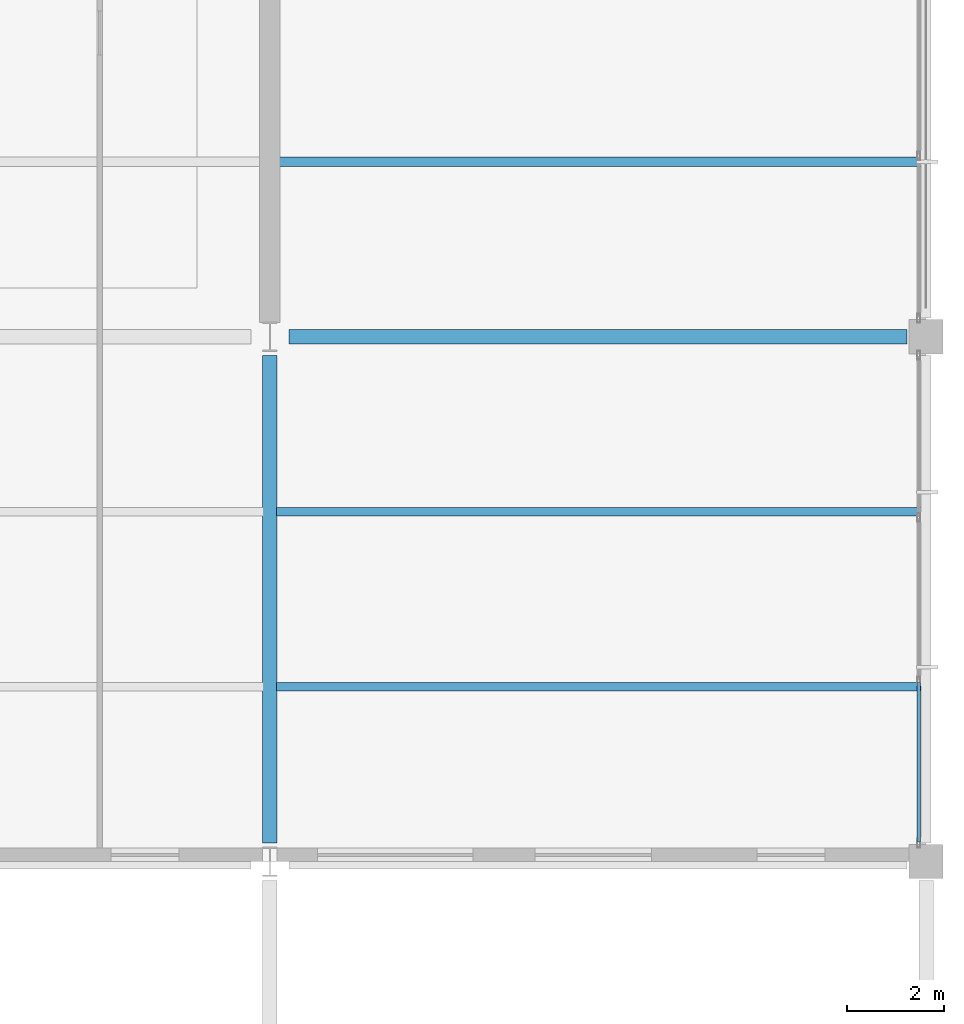
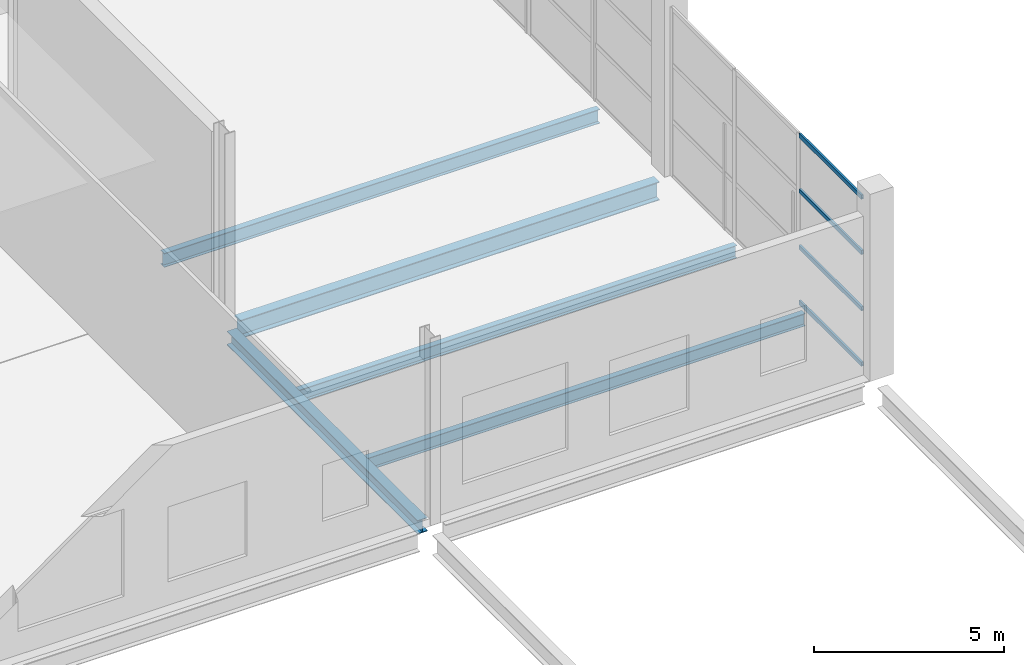
# One storey, part 137 of 191: 5 beams, 4 members, 1 element without a shape of its own.
"""IFC4 building model written with IfcOpenShell, lengths in metres."""

from ifc_helpers import new_model, si_unit, direction, frame, origin, origin_2d, place, context, subcontext, project, spatial, hollow_rectangle, i_section, extrude, material, layer, layer_set, material_profile, profile_set, type_object, element, aggregate, save


model = new_model("IFC4")

# Units and contexts
model_context = context("Model", 3, precision=1e-05, world=origin(), true_north=direction((0.0, 1.0)))
body_context = subcontext(model_context, "Body", "Model", "MODEL_VIEW")
ifc_project = project(units=[si_unit("LENGTHUNIT", "METRE"), si_unit("AREAUNIT", "SQUARE_METRE"), si_unit("VOLUMEUNIT", "CUBIC_METRE"), si_unit("PLANEANGLEUNIT", "RADIAN"), si_unit("MASSUNIT", "GRAM", prefix="KILO")], contexts=[model_context])

# Site, building, storey
site_placement = place(None, origin())
site = spatial("IfcSite", under=ifc_project, at=site_placement, CompositionType="ELEMENT")
building_placement = place(site_placement, origin())
building = spatial("IfcBuilding", under=site, at=building_placement, Name="Tamarisk Ironworks Central Station", CompositionType="ELEMENT")
storey_placement = place(building_placement, frame((0.0, 0.0, 6.60009765625)))
storey = spatial("IfcBuildingStorey", under=building, at=storey_placement, Name="L01", CompositionType="ELEMENT", Elevation=6.60009765625)

# Beams
ifc_material_1 = material(Name="Structural steel S355J2", Category="steel")
ifc_material_profile_1 = material_profile(ifc_material_1, i_section(OverallWidth=0.18994140625, OverallDepth=0.449951171875, WebThickness=0.009521484375, FlangeThickness=0.0146484375, at=origin_2d()), Name="IPE 450")
ifc_profile_set_1 = profile_set([ifc_material_profile_1], Name="Structural steel S355J2")
beam_type_1 = type_object("IfcBeamType", Name="BM-B03", PredefinedType="BEAM", material=ifc_profile_set_1)
beam_1_placement = place(storey_placement, frame((166.699951171875, 93.60009765625, -0.47509765625), z_axis=(1.0, 0.0, 0.0), x_axis=(0.0, 1.0, 0.0)))
element("IfcBeam", 1, at=beam_1_placement, inside=storey, type_object=beam_type_1, Name="L01 secondary composite beam 0089", PredefinedType="BEAM", context=body_context, shape_type="SweptSolid", body=[
    extrude(i_section(OverallWidth=0.18994140625, OverallDepth=0.449951171875, WebThickness=0.009521484375, FlangeThickness=0.0146484375, at=origin_2d()), origin(), (0.0, 0.0, 1.0), 13.215087890625),
])
ifc_material_profile_2 = material_profile(ifc_material_1, i_section(OverallWidth=0.179931640625, OverallDepth=0.39990234375, WebThickness=0.008544921875, FlangeThickness=0.013427734375, at=origin_2d()), Name="IPE 400")
ifc_profile_set_2 = profile_set([ifc_material_profile_2], Name="Structural steel S355J2")
beam_type_2 = type_object("IfcBeamType", Name="BM-B04", PredefinedType="BEAM", material=ifc_profile_set_2)
for number, where, z_axis, x_axis, name in (
    (2, (166.635009765625, 82.800048828125, -0.4501953125), (1.0, 0.0, 0.0), (0.0, 1.0, 0.0), "L01 secondary composite beam 0099"),
    (3, (166.635009765625, 86.39990234375, -0.4501953125), (1.0, 0.0, 0.0), (0.0, 1.0, 0.0), "L01 secondary composite beam 0100"),
):
    element("IfcBeam", number, at=place(storey_placement, frame(where, z_axis=z_axis, x_axis=x_axis)), inside=storey, type_object=beam_type_2, Name=name, PredefinedType="BEAM", context=body_context, shape_type="SweptSolid", body=[
        extrude(i_section(OverallWidth=0.179931640625, OverallDepth=0.39990234375, WebThickness=0.008544921875, FlangeThickness=0.013427734375, at=origin_2d()), origin(), (0.0, 0.0, 1.0), 13.280029296875),
    ])
ifc_material_profile_3 = material_profile(ifc_material_1, i_section(OverallWidth=0.300048828125, OverallDepth=0.590087890625, WebThickness=0.012939453125, FlangeThickness=0.02490234375, at=origin_2d()), Name="HEA 600")
ifc_profile_set_3 = profile_set([ifc_material_profile_3], Name="Structural steel S355J2")
beam_type_3 = type_object("IfcBeamType", Name="BM-G03", PredefinedType="BEAM", material=ifc_profile_set_3)
beam_2_placement = place(storey_placement, frame((166.887939453125, 90.0, -0.545166015625), z_axis=(1.0, 0.0, 0.0), x_axis=(0.0, 1.0, 0.0)))
element("IfcBeam", 4, at=beam_2_placement, inside=storey, type_object=beam_type_3, Name="L01 primary girder X-0109", PredefinedType="BEAM", context=body_context, shape_type="SweptSolid", body=[
    extrude(i_section(OverallWidth=0.300048828125, OverallDepth=0.590087890625, WebThickness=0.012939453125, FlangeThickness=0.02490234375, at=origin_2d()), origin(), (0.0, 0.0, 1.0), 12.72412109375),
])
ifc_material_profile_4 = material_profile(ifc_material_1, i_section(OverallWidth=0.300048828125, OverallDepth=0.43994140625, WebThickness=0.011474609375, FlangeThickness=0.02099609375, at=origin_2d()), Name="HEA 450")
ifc_profile_set_4 = profile_set([ifc_material_profile_4], Name="Structural steel S355J2")
beam_type_4 = type_object("IfcBeamType", Name="BM-G06", PredefinedType="BEAM", material=ifc_profile_set_4)
beam_3_placement = place(storey_placement, frame((166.5, 79.587890625, -0.47021484375), z_axis=(0.0, 1.0, 0.0), x_axis=(-1.0, 0.0, 0.0)))
element("IfcBeam", 5, at=beam_3_placement, inside=storey, type_object=beam_type_4, Name="L01 primary girder Y-0284", PredefinedType="BEAM", context=body_context, shape_type="SweptSolid", body=[
    extrude(i_section(OverallWidth=0.300048828125, OverallDepth=0.43994140625, WebThickness=0.011474609375, FlangeThickness=0.02099609375, at=origin_2d()), origin(), (0.0, 0.0, 1.0), 10.024169921875),
])

# Curtain wall, members
ifc_material_2 = material(Name="Anodized aluminium alloy 6063-T6", Category="aluminium")
ifc_layer = layer(ifc_material_2, 0.179931640625)
ifc_layer_set = layer_set([ifc_layer], Name="Anodized aluminium alloy 6063-T6")
curtain_wall_type = type_object("IfcCurtainWallType", Name="CW-16", PredefinedType="USERDEFINED", material=ifc_layer_set)
curtain_wall_placement = place(storey_placement, origin())
curtain_wall = element("IfcCurtainWall", 6, at=curtain_wall_placement, inside=storey, type_object=curtain_wall_type, Name="Operations L01 east facade curtain wall 079", ObjectType="GLAZED CURTAIN WALL", PredefinedType="USERDEFINED")
ifc_material_profile_5 = material_profile(ifc_material_2, hollow_rectangle(XDim=0.06494140625, YDim=0.135009765625, WallThickness=0.00341796875, at=origin_2d()), Name="ALUM 135x65")
ifc_profile_set_5 = profile_set([ifc_material_profile_5], Name="Anodized aluminium alloy 6063-T6")
member_type = type_object("IfcMemberType", Name="CWT-02", PredefinedType="USERDEFINED", material=ifc_profile_set_5)
member_1_placement = place(storey_placement, frame((179.85009765625, 79.60888671875, 0.032470703125), z_axis=(0.0, 1.0, 0.0), x_axis=(-1.0, 0.0, 0.0)))
member_1 = element("IfcMember", 7, at=member_1_placement, type_object=member_type, Name="CW16 transom 1.1", ObjectType="TRANSOM", PredefinedType="USERDEFINED", context=body_context, shape_type="SweptSolid", body=[
    extrude(hollow_rectangle(XDim=0.06494140625, YDim=0.135009765625, WallThickness=0.00341796875, at=origin_2d()), origin(), (0.0, 0.0, 1.0), 3.278564453125),
])
member_2_placement = place(storey_placement, frame((179.85009765625, 79.60888671875, 1.806640625), z_axis=(0.0, 1.0, 0.0), x_axis=(-1.0, 0.0, 0.0)))
member_2 = element("IfcMember", 8, at=member_2_placement, type_object=member_type, Name="CW16 transom 1.2", ObjectType="TRANSOM", PredefinedType="USERDEFINED", context=body_context, shape_type="SweptSolid", body=[
    extrude(hollow_rectangle(XDim=0.06494140625, YDim=0.135009765625, WallThickness=0.00341796875, at=origin_2d()), origin(), (0.0, 0.0, 1.0), 3.278564453125),
])
member_3_placement = place(storey_placement, frame((179.85009765625, 79.60888671875, 3.61328125), z_axis=(0.0, 1.0, 0.0), x_axis=(-1.0, 0.0, 0.0)))
member_3 = element("IfcMember", 9, at=member_3_placement, type_object=member_type, Name="CW16 transom 1.3", ObjectType="TRANSOM", PredefinedType="USERDEFINED", context=body_context, shape_type="SweptSolid", body=[
    extrude(hollow_rectangle(XDim=0.06494140625, YDim=0.135009765625, WallThickness=0.00341796875, at=origin_2d()), origin(), (0.0, 0.0, 1.0), 3.278564453125),
])
member_4_placement = place(storey_placement, frame((179.85009765625, 79.60888671875, 5.387451171875), z_axis=(0.0, 1.0, 0.0), x_axis=(-1.0, 0.0, 0.0)))
member_4 = element("IfcMember", 10, at=member_4_placement, type_object=member_type, Name="CW16 transom 1.4", ObjectType="TRANSOM", PredefinedType="USERDEFINED", context=body_context, shape_type="SweptSolid", body=[
    extrude(hollow_rectangle(XDim=0.06494140625, YDim=0.135009765625, WallThickness=0.00341796875, at=origin_2d()), origin(), (0.0, 0.0, 1.0), 3.278564453125),
])
aggregate(curtain_wall, [member_1, member_2, member_3, member_4])

save(model, "model.ifc")
